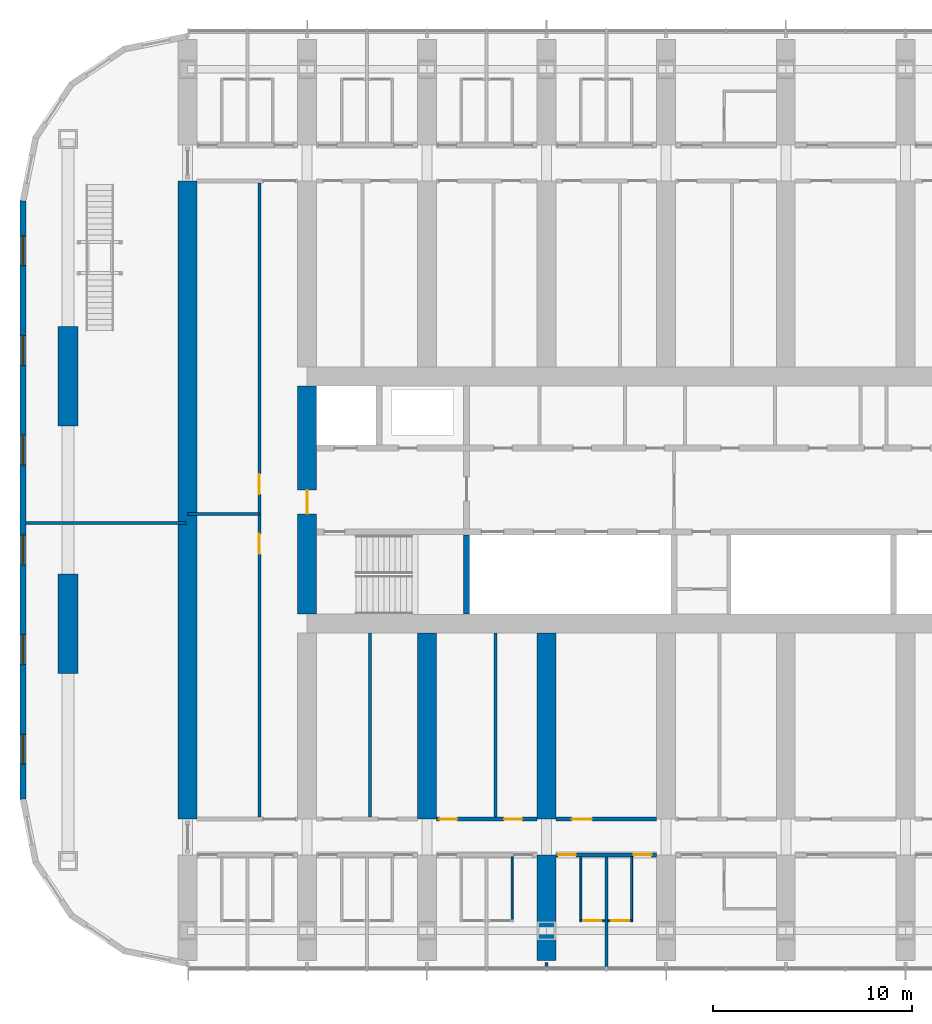
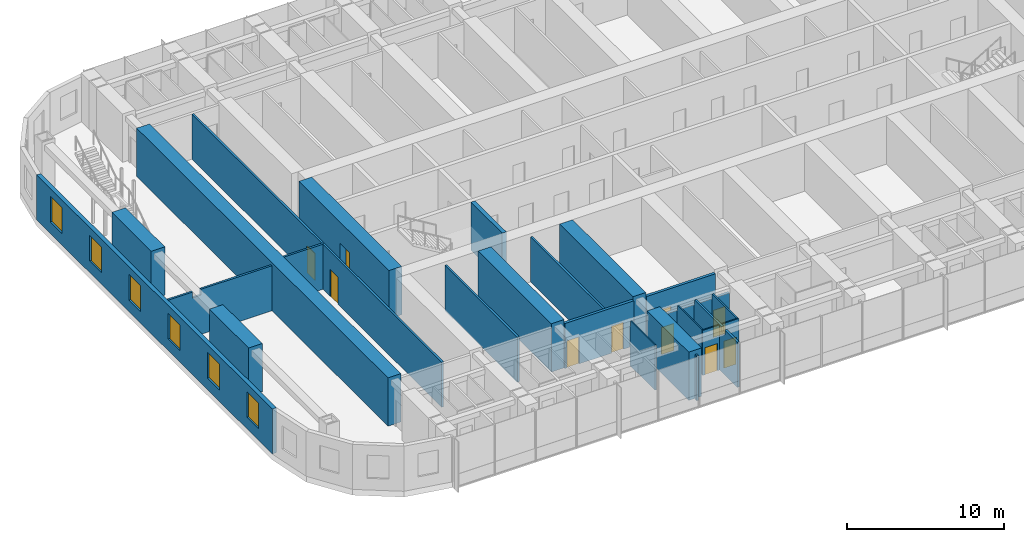
# One storey, part 11 of 26: 24 walls, 10 doors, 6 windows, 16 openings.
"""IFC4 building model written with IfcOpenShell, lengths in metres."""

from ifc_helpers import new_model, si_unit, direction, frame, frame_2d, origin, place, context, subcontext, project, spatial, polyline, rectangle, outline, extrude, material, layer, layer_set, type_object, element, fill, save


model = new_model("IFC4")

# Units and contexts
model_context = context("Model", 3, precision=1e-05, world=origin(), true_north=direction((0.0, 1.0)))
body_context = subcontext(model_context, "Body", "Model", "MODEL_VIEW")
ifc_project = project(units=[si_unit("LENGTHUNIT", "METRE"), si_unit("AREAUNIT", "SQUARE_METRE"), si_unit("VOLUMEUNIT", "CUBIC_METRE"), si_unit("PLANEANGLEUNIT", "RADIAN"), si_unit("MASSUNIT", "GRAM", prefix="KILO")], contexts=[model_context])

# Site, building, storey
site_placement = place(None, origin())
site = spatial("IfcSite", under=ifc_project, at=site_placement, CompositionType="ELEMENT")
building_placement = place(site_placement, origin())
building = spatial("IfcBuilding", under=site, at=building_placement, Name="Orbita Commons", CompositionType="ELEMENT")
storey_placement = place(building_placement, frame((0.0, 0.0, 114.39990234375)))
storey = spatial("IfcBuildingStorey", under=building, at=storey_placement, Name="L28", CompositionType="ELEMENT", Elevation=114.39990234375)

# Wall
ifc_material_1 = material(Name="Concrete C50/60", Category="concrete")
ifc_layer_1 = layer(ifc_material_1, 0.300048828125)
ifc_layer_set_1 = layer_set([ifc_layer_1], Name="Concrete C50/60")
wall_type_1 = type_object("IfcWallType", Name="Core inner wall 300 C50/60", PredefinedType="SHEAR", material=ifc_layer_set_1)
wall_1_placement = place(storey_placement, frame((26.0, 26.27490234375, 0.0), z_axis=(0.0, 0.0, 1.0), x_axis=(0.0, 1.0, 0.0)))
element("IfcWall", 1, at=wall_1_placement, inside=storey, type_object=wall_type_1, Name="Stair S1 wall L28", PredefinedType="SHEAR", context=body_context, shape_type="SweptSolid", body=[
    extrude(rectangle(XDim=3.97509765625, YDim=0.300048828125, at=frame_2d((1.987548828125, 0.0))), origin(), (0.0, 0.0, 1.0), 3.75),
])

# Wall, opening, door
ifc_material_2 = material(Name="Concrete C50/60", Category="concrete")
ifc_layer_2 = layer(ifc_material_2, 0.949951171875)
ifc_layer_set_2 = layer_set([ifc_layer_2], Name="Concrete C50/60")
wall_type_2 = type_object("IfcWallType", Name="Core wall 950 C50/60", PredefinedType="SHEAR", material=ifc_layer_set_2)
wall_2_placement = place(storey_placement, frame((18.0, 26.27490234375, 0.0), z_axis=(0.0, 0.0, 1.0), x_axis=(0.0, 1.0, 0.0)))
wall_2 = element("IfcWall", 2, at=wall_2_placement, inside=storey, type_object=wall_type_2, Name="Core end wall west L28", PredefinedType="SHEAR", context=body_context, shape_type="SweptSolid", body=[
    extrude(rectangle(XDim=11.4501953125, YDim=0.949951171875, at=frame_2d((5.72509765625, 0.0))), origin(), (0.0, 0.0, 1.0), 3.75),
])
opening_1_placement = place(wall_2_placement, frame((5.02490234375, 0.0, 0.0)))
opening_1 = element("IfcOpeningElement", 3, at=opening_1_placement, cuts=wall_2, Name="Opening D01", PredefinedType="OPENING", context=body_context, shape_type="SweptSolid", body=[
    extrude(rectangle(XDim=1.199951171875, YDim=2.10009765625, at=frame_2d((0.60009765625, 1.050048828125))), frame((0.0, 0.48486328125, 0.0), z_axis=(0.0, -1.0, 0.0), x_axis=(1.0, 0.0, 0.0)), (0.0, 0.0, 1.0), 0.969970703125),
])
ifc_material_3 = material(Name="Steel-faced fire door leaf", Category="steel")
door_type_1 = type_object("IfcDoorType", Name="Fire door 90 min 1200x2100", OperationType="SINGLE_SWING_LEFT", PredefinedType="DOOR", material=ifc_material_3)
door_1_placement = place(opening_1_placement, origin())
door_1 = element("IfcDoor", 4, at=door_1_placement, inside=storey, type_object=door_type_1, Name="Firefighting lobby west door", OperationType="SINGLE_SWING_LEFT", OverallHeight=2.10009765625, OverallWidth=1.199951171875, PredefinedType="DOOR", context=body_context, shape_type="SweptSolid", body=[
    extrude(rectangle(XDim=1.199951171875, YDim=2.10009765625, at=frame_2d((0.60009765625, 1.050048828125))), frame((0.0, 0.02490234375, 0.0), z_axis=(0.0, -1.0, 0.0), x_axis=(1.0, 0.0, 0.0)), (0.0, 0.0, 1.0), 0.050048828125),
])
fill(opening_1, door_1)

# Wall, openings, doors
ifc_material_4 = material(Name="Concrete blockwork", Category="masonry")
ifc_layer_3 = layer(ifc_material_4, 0.199951171875)
ifc_layer_set_3 = layer_set([ifc_layer_3], Name="Concrete blockwork")
wall_type_3 = type_object("IfcWallType", Name="Corridor wall 200 blockwork", PredefinedType="SOLIDWALL", material=ifc_layer_set_3)
wall_3_placement = place(storey_placement, frame((30.47509765625, 14.199951171875, 0.0), z_axis=(0.0, 0.0, 1.0), x_axis=(1.0, 0.0, 0.0)))
wall_3 = element("IfcWall", 5, at=wall_3_placement, inside=storey, type_object=wall_type_3, Name="Corridor wall 200 blockwork L28", PredefinedType="SOLIDWALL", context=body_context, shape_type="SweptSolid", body=[
    extrude(outline(polyline([(0.0, 0.0), (5.0498046875, 0.0), (5.050048828125, 3.10009765625), (0.0, 3.10009765625), (0.0, 0.0)])), frame((0.0, 0.10009765625, 0.0), z_axis=(0.0, -1.0, 0.0), x_axis=(1.0, 0.0, 0.0)), (0.0, 0.0, 1.0), 0.199951171875),
])
opening_2_placement = place(wall_3_placement, frame((0.10009765625, 0.0, 0.0)))
opening_2 = element("IfcOpeningElement", 6, at=opening_2_placement, cuts=wall_3, Name="Opening D11", PredefinedType="OPENING", context=body_context, shape_type="SweptSolid", body=[
    extrude(rectangle(XDim=0.89990234375, YDim=2.10009765625, at=frame_2d((0.449951171875, 1.050048828125))), frame((0.0, 0.10986328125, 0.0), z_axis=(0.0, -1.0, 0.0), x_axis=(1.0, 0.0, 0.0)), (0.0, 0.0, 1.0), 0.219970703125),
])
opening_3_placement = place(wall_3_placement, frame((3.89990234375, 0.0, 0.0)))
opening_3 = element("IfcOpeningElement", 7, at=opening_3_placement, cuts=wall_3, Name="Opening D11", PredefinedType="OPENING", context=body_context, shape_type="SweptSolid", body=[
    extrude(rectangle(XDim=0.89990234375, YDim=2.10009765625, at=frame_2d((0.449951171875, 1.050048828125))), frame((0.0, 0.10986328125, 0.0), z_axis=(0.0, -1.0, 0.0), x_axis=(1.0, 0.0, 0.0)), (0.0, 0.0, 1.0), 0.219970703125),
])
ifc_material_5 = material(Name="Steel-faced fire door leaf", Category="steel")
door_type_2 = type_object("IfcDoorType", Name="Corridor door 20 min 900x2100", OperationType="SINGLE_SWING_LEFT", PredefinedType="DOOR", material=ifc_material_5)
door_2_placement = place(opening_2_placement, origin())
door_2 = element("IfcDoor", 8, at=door_2_placement, inside=storey, type_object=door_type_2, Name="Cluster bedroom L28-S06 door", OperationType="SINGLE_SWING_LEFT", OverallHeight=2.10009765625, OverallWidth=0.89990234375, PredefinedType="DOOR", context=body_context, shape_type="SweptSolid", body=[
    extrude(rectangle(XDim=0.89990234375, YDim=2.10009765625, at=frame_2d((0.449951171875, 1.050048828125))), frame((0.0, 0.02490234375, 0.0), z_axis=(0.0, -1.0, 0.0), x_axis=(1.0, 0.0, 0.0)), (0.0, 0.0, 1.0), 0.050048828125),
])
fill(opening_2, door_2)
door_3_placement = place(opening_3_placement, origin())
door_3 = element("IfcDoor", 9, at=door_3_placement, inside=storey, type_object=door_type_2, Name="Cluster bedroom L28-S07 door", OperationType="SINGLE_SWING_LEFT", OverallHeight=2.10009765625, OverallWidth=0.89990234375, PredefinedType="DOOR", context=body_context, shape_type="SweptSolid", body=[
    extrude(rectangle(XDim=0.89990234375, YDim=2.10009765625, at=frame_2d((0.449951171875, 1.050048828125))), frame((0.0, 0.02490234375, 0.0), z_axis=(0.0, -1.0, 0.0), x_axis=(1.0, 0.0, 0.0)), (0.0, 0.0, 1.0), 0.050048828125),
])
fill(opening_3, door_3)

ifc_material_6 = material(Name="Hollow concrete block 200", Category="concrete")
ifc_layer_4 = layer(ifc_material_6, 0.199951171875)
ifc_layer_set_4 = layer_set([ifc_layer_4], Name="Hollow concrete block 200")
wall_type_4 = type_object("IfcWallType", Name="Corridor wall 200 hollow concrete block", PredefinedType="SOLIDWALL", material=ifc_layer_set_4)
wall_4_placement = place(storey_placement, frame((24.47509765625, 16.0, 0.0), z_axis=(0.0, 0.0, 1.0), x_axis=(1.0, 0.0, 0.0)))
wall_4 = element("IfcWall", 10, at=wall_4_placement, inside=storey, type_object=wall_type_4, Name="Corridor wall 200 hollow concrete block L28", PredefinedType="SOLIDWALL", context=body_context, shape_type="SweptSolid", body=[
    extrude(rectangle(XDim=5.0498046875, YDim=0.199951171875, at=frame_2d((2.52490234375, 0.0))), origin(), (0.0, 0.0, 1.0), 3.5),
])
opening_4_placement = place(wall_4_placement, frame((0.14990234375, 0.0, 0.0)))
opening_4 = element("IfcOpeningElement", 11, at=opening_4_placement, cuts=wall_4, Name="Opening D11", PredefinedType="OPENING", context=body_context, shape_type="SweptSolid", body=[
    extrude(rectangle(XDim=0.89990234375, YDim=2.10009765625, at=frame_2d((0.449951171875, 1.050048828125))), frame((0.0, 0.10986328125, 0.0), z_axis=(0.0, -1.0, 0.0), x_axis=(1.0, 0.0, 0.0)), (0.0, 0.0, 1.0), 0.219970703125),
])
opening_5_placement = place(wall_4_placement, frame((3.405029296875, 0.0, 0.0)))
opening_5 = element("IfcOpeningElement", 12, at=opening_5_placement, cuts=wall_4, Name="Opening D11", PredefinedType="OPENING", context=body_context, shape_type="SweptSolid", body=[
    extrude(rectangle(XDim=0.89990234375, YDim=2.10009765625, at=frame_2d((0.449951171875, 1.050048828125))), frame((0.0, 0.10986328125, 0.0), z_axis=(0.0, -1.0, 0.0), x_axis=(1.0, 0.0, 0.0)), (0.0, 0.0, 1.0), 0.219970703125),
])
door_4_placement = place(opening_4_placement, origin())
door_4 = element("IfcDoor", 13, at=door_4_placement, inside=storey, type_object=door_type_2, Name="Recording room L28-BDS24 door", OperationType="SINGLE_SWING_LEFT", OverallHeight=2.10009765625, OverallWidth=0.89990234375, PredefinedType="DOOR", context=body_context, shape_type="SweptSolid", body=[
    extrude(rectangle(XDim=0.89990234375, YDim=2.10009765625, at=frame_2d((0.449951171875, 1.050048828125))), frame((0.0, 0.02490234375, 0.0), z_axis=(0.0, -1.0, 0.0), x_axis=(1.0, 0.0, 0.0)), (0.0, 0.0, 1.0), 0.050048828125),
])
fill(opening_4, door_4)
door_5_placement = place(opening_5_placement, origin())
door_5 = element("IfcDoor", 14, at=door_5_placement, inside=storey, type_object=door_type_2, Name="Equipment store L28-BDS24n door", OperationType="SINGLE_SWING_LEFT", OverallHeight=2.10009765625, OverallWidth=0.89990234375, PredefinedType="DOOR", context=body_context, shape_type="SweptSolid", body=[
    extrude(rectangle(XDim=0.89990234375, YDim=2.10009765625, at=frame_2d((0.449951171875, 1.050048828125))), frame((0.0, 0.02490234375, 0.0), z_axis=(0.0, -1.0, 0.0), x_axis=(1.0, 0.0, 0.0)), (0.0, 0.0, 1.0), 0.050048828125),
])
fill(opening_5, door_5)

# Wall, opening, door
wall_5_placement = place(storey_placement, frame((30.47509765625, 16.0, 0.0), z_axis=(0.0, 0.0, 1.0), x_axis=(1.0, 0.0, 0.0)))
wall_5 = element("IfcWall", 15, at=wall_5_placement, inside=storey, type_object=wall_type_4, Name="Corridor wall 200 hollow concrete block L28", PredefinedType="SOLIDWALL", context=body_context, shape_type="SweptSolid", body=[
    extrude(rectangle(XDim=5.0498046875, YDim=0.199951171875, at=frame_2d((2.52490234375, 0.0))), origin(), (0.0, 0.0, 1.0), 3.5),
])
opening_6_placement = place(wall_5_placement, frame((0.800048828125, 0.0, 0.0)))
opening_6 = element("IfcOpeningElement", 16, at=opening_6_placement, cuts=wall_5, Name="Opening D06", PredefinedType="OPENING", context=body_context, shape_type="SweptSolid", body=[
    extrude(rectangle(XDim=1.0, YDim=2.10009765625, at=frame_2d((0.5, 1.050048828125))), frame((0.0, 0.10986328125, 0.0), z_axis=(0.0, -1.0, 0.0), x_axis=(1.0, 0.0, 0.0)), (0.0, 0.0, 1.0), 0.219970703125),
])
ifc_material_7 = material(Name="Steel-faced fire door leaf", Category="steel")
door_type_3 = type_object("IfcDoorType", Name="Corridor door 20 min 1000x2100", OperationType="SINGLE_SWING_LEFT", PredefinedType="DOOR", material=ifc_material_7)
door_6_placement = place(opening_6_placement, origin())
door_6 = element("IfcDoor", 17, at=door_6_placement, inside=storey, type_object=door_type_3, Name="Drying room L28-BDS30 door", OperationType="SINGLE_SWING_LEFT", OverallHeight=2.10009765625, OverallWidth=1.0, PredefinedType="DOOR", context=body_context, shape_type="SweptSolid", body=[
    extrude(rectangle(XDim=1.0, YDim=2.10009765625, at=frame_2d((0.5, 1.050048828125))), frame((0.0, 0.02490234375, 0.0), z_axis=(0.0, -1.0, 0.0), x_axis=(1.0, 0.0, 0.0)), (0.0, 0.0, 1.0), 0.050048828125),
])
fill(opening_6, door_6)

# Walls
ifc_material_8 = material(Name="Concrete C50/60", Category="concrete")
ifc_layer_5 = layer(ifc_material_8, 0.949951171875)
ifc_layer_set_5 = layer_set([ifc_layer_5], Name="Concrete C50/60")
wall_type_5 = type_object("IfcWallType", Name="Cross wall 950 C50/60", PredefinedType="SHEAR", material=ifc_layer_set_5)
wall_6_placement = place(storey_placement, frame((12.0, 16.0, 0.0), z_axis=(0.0, 0.0, 1.0), x_axis=(0.0, 1.0, 0.0)))
element("IfcWall", 18, at=wall_6_placement, inside=storey, type_object=wall_type_5, Name="Cross wall 3 inner L28", PredefinedType="SHEAR", context=body_context, shape_type="SweptSolid", body=[
    extrude(rectangle(XDim=32.0, YDim=0.949951171875, at=frame_2d((16.0, 0.0))), origin(), (0.0, 0.0, 1.0), 3.75),
])
wall_7_placement = place(storey_placement, frame((24.0, 16.0, 0.0), z_axis=(0.0, 0.0, 1.0), x_axis=(0.0, 1.0, 0.0)))
element("IfcWall", 19, at=wall_7_placement, inside=storey, type_object=wall_type_5, Name="Cross wall 5 south inner L28", PredefinedType="SHEAR", context=body_context, shape_type="SweptSolid", body=[
    extrude(rectangle(XDim=9.324951171875, YDim=0.949951171875, at=frame_2d((4.66259765625, 0.0))), origin(), (0.0, 0.0, 1.0), 3.75),
])
wall_8_placement = place(storey_placement, frame((30.0, 8.89990234375, 0.0), z_axis=(0.0, 0.0, 1.0), x_axis=(0.0, 1.0, 0.0)))
element("IfcWall", 20, at=wall_8_placement, inside=storey, type_object=wall_type_5, Name="Cross wall 6 south outer L28", PredefinedType="SHEAR", context=body_context, shape_type="SweptSolid", body=[
    extrude(rectangle(XDim=5.300048828125, YDim=0.949951171875, at=frame_2d((2.64990234375, 0.0))), origin(), (0.0, 0.0, 1.0), 3.75),
])
wall_9_placement = place(storey_placement, frame((30.0, 16.0, 0.0), z_axis=(0.0, 0.0, 1.0), x_axis=(0.0, 1.0, 0.0)))
element("IfcWall", 21, at=wall_9_placement, inside=storey, type_object=wall_type_5, Name="Cross wall 6 south inner L28", PredefinedType="SHEAR", context=body_context, shape_type="SweptSolid", body=[
    extrude(rectangle(XDim=9.324951171875, YDim=0.949951171875, at=frame_2d((4.66259765625, 0.0))), origin(), (0.0, 0.0, 1.0), 3.75),
])
ifc_material_9 = material(Name="Moisture-resistant plasterboard on steel studs", Category="steel")
ifc_layer_6 = layer(ifc_material_9, 0.10009765625)
ifc_layer_set_6 = layer_set([ifc_layer_6], Name="Moisture-resistant plasterboard on steel studs")
wall_type_6 = type_object("IfcWallType", Name="En-suite partition 100", PredefinedType="PARTITIONING", material=ifc_layer_set_6)
wall_10_placement = place(storey_placement, frame((28.27490234375, 10.949951171875, 0.0), z_axis=(0.0, 0.0, 1.0), x_axis=(0.0, 1.0, 0.0)))
element("IfcWall", 22, at=wall_10_placement, inside=storey, type_object=wall_type_6, Name="En-suite partition 100 L28", PredefinedType="PARTITIONING", context=body_context, shape_type="SweptSolid", body=[
    extrude(outline(polyline([(0.0, 0.0), (3.150146484375, 0.0), (3.14990234375, 3.10009765625), (3.10205078125, 3.10009765625), (3.10009765625, 3.5), (0.0, 3.5), (0.0, 0.0)])), frame((0.0, 0.050048828125, 0.0), z_axis=(0.0, -1.0, 0.0), x_axis=(1.0, 0.0, 0.0)), (0.0, 0.0, 1.0), 0.10009765625),
])

# Wall, opening, door
wall_11_placement = place(storey_placement, frame((32.925048828125, 10.89990234375, 0.0), z_axis=(0.0, 0.0, 1.0), x_axis=(-1.0, 0.0, 0.0)))
wall_11 = element("IfcWall", 23, at=wall_11_placement, inside=storey, type_object=wall_type_6, Name="En-suite partition 100 L28", PredefinedType="PARTITIONING", context=body_context, shape_type="SweptSolid", body=[
    extrude(rectangle(XDim=1.25, YDim=0.10009765625, at=frame_2d((0.625, 0.0))), origin(), (0.0, 0.0, 1.0), 3.5),
])
opening_7_placement = place(wall_11_placement, frame((0.175048828125, 0.0, 0.0)))
opening_7 = element("IfcOpeningElement", 24, at=opening_7_placement, cuts=wall_11, Name="Opening D09", PredefinedType="OPENING", context=body_context, shape_type="SweptSolid", body=[
    extrude(rectangle(XDim=0.89990234375, YDim=2.10009765625, at=frame_2d((0.449951171875, 1.050048828125))), frame((0.0, 0.06005859375, 0.0), z_axis=(0.0, -1.0, 0.0), x_axis=(1.0, 0.0, 0.0)), (0.0, 0.0, 1.0), 0.1201171875),
])
ifc_material_10 = material(Name="Laminated timber door leaf", Category="wood")
door_type_4 = type_object("IfcDoorType", Name="En-suite door 900x2100", OperationType="SINGLE_SWING_RIGHT", PredefinedType="DOOR", material=ifc_material_10)
door_7_placement = place(opening_7_placement, origin())
door_7 = element("IfcDoor", 25, at=door_7_placement, inside=storey, type_object=door_type_4, Name="En-suite L28-S06 door", OperationType="SINGLE_SWING_RIGHT", OverallHeight=2.10009765625, OverallWidth=0.89990234375, PredefinedType="DOOR", context=body_context, shape_type="SweptSolid", body=[
    extrude(rectangle(XDim=0.89990234375, YDim=2.10009765625, at=frame_2d((0.449951171875, 1.050048828125))), frame((0.0, 0.02490234375, 0.0), z_axis=(0.0, -1.0, 0.0), x_axis=(1.0, 0.0, 0.0)), (0.0, 0.0, 1.0), 0.050048828125),
])
fill(opening_7, door_7)

# Wall
wall_12_placement = place(storey_placement, frame((31.72509765625, 10.949951171875, 0.0), z_axis=(0.0, 0.0, 1.0), x_axis=(0.0, 1.0, 0.0)))
element("IfcWall", 26, at=wall_12_placement, inside=storey, type_object=wall_type_6, Name="En-suite partition 100 L28", PredefinedType="PARTITIONING", context=body_context, shape_type="SweptSolid", body=[
    extrude(outline(polyline([(0.0, 0.0), (3.150146484375, 0.0), (3.14990234375, 3.10009765625), (3.10205078125, 3.10009765625), (3.10009765625, 3.5), (0.0, 3.5), (0.0, 0.0)])), frame((0.0, 0.050048828125, 0.0), z_axis=(0.0, -1.0, 0.0), x_axis=(1.0, 0.0, 0.0)), (0.0, 0.0, 1.0), 0.10009765625),
])

# Wall, opening, door
wall_13_placement = place(storey_placement, frame((34.324951171875, 10.89990234375, 0.0), z_axis=(0.0, 0.0, 1.0), x_axis=(-1.0, 0.0, 0.0)))
wall_13 = element("IfcWall", 27, at=wall_13_placement, inside=storey, type_object=wall_type_6, Name="En-suite partition 100 L28", PredefinedType="PARTITIONING", context=body_context, shape_type="SweptSolid", body=[
    extrude(rectangle(XDim=1.25, YDim=0.10009765625, at=frame_2d((0.625, 0.0))), origin(), (0.0, 0.0, 1.0), 3.5),
])
opening_8_placement = place(wall_13_placement, frame((0.175048828125, 0.0, 0.0)))
opening_8 = element("IfcOpeningElement", 28, at=opening_8_placement, cuts=wall_13, Name="Opening D09", PredefinedType="OPENING", context=body_context, shape_type="SweptSolid", body=[
    extrude(rectangle(XDim=0.89990234375, YDim=2.10009765625, at=frame_2d((0.449951171875, 1.050048828125))), frame((0.0, 0.06005859375, 0.0), z_axis=(0.0, -1.0, 0.0), x_axis=(1.0, 0.0, 0.0)), (0.0, 0.0, 1.0), 0.1201171875),
])
door_8_placement = place(opening_8_placement, origin())
door_8 = element("IfcDoor", 29, at=door_8_placement, inside=storey, type_object=door_type_4, Name="En-suite L28-S07 door", OperationType="SINGLE_SWING_RIGHT", OverallHeight=2.10009765625, OverallWidth=0.89990234375, PredefinedType="DOOR", context=body_context, shape_type="SweptSolid", body=[
    extrude(rectangle(XDim=0.89990234375, YDim=2.10009765625, at=frame_2d((0.449951171875, 1.050048828125))), frame((0.0, 0.02490234375, 0.0), z_axis=(0.0, -1.0, 0.0), x_axis=(1.0, 0.0, 0.0)), (0.0, 0.0, 1.0), 0.050048828125),
])
fill(opening_8, door_8)

# Walls
wall_14_placement = place(storey_placement, frame((34.27490234375, 10.949951171875, 0.0), z_axis=(0.0, 0.0, 1.0), x_axis=(0.0, 1.0, 0.0)))
element("IfcWall", 30, at=wall_14_placement, inside=storey, type_object=wall_type_6, Name="En-suite partition 100 L28", PredefinedType="PARTITIONING", context=body_context, shape_type="SweptSolid", body=[
    extrude(outline(polyline([(0.0, 0.0), (3.150146484375, 0.0), (3.14990234375, 3.10009765625), (3.10205078125, 3.10009765625), (3.10009765625, 3.5), (0.0, 3.5), (0.0, 0.0)])), frame((0.0, 0.050048828125, 0.0), z_axis=(0.0, -1.0, 0.0), x_axis=(1.0, 0.0, 0.0)), (0.0, 0.0, 1.0), 0.10009765625),
])
ifc_material_11 = material(Name="Concrete C50/60", Category="concrete")
ifc_layer_7 = layer(ifc_material_11, 1.0)
ifc_layer_set_7 = layer_set([ifc_layer_7], Name="Concrete C50/60")
wall_type_7 = type_object("IfcWallType", Name="End pier 1000x5000 C50/60", PredefinedType="SHEAR", material=ifc_layer_set_7)
for number, where, z_axis, x_axis, name in (
    (31, (6.0, 23.300048828125, 0.0), (0.0, 0.0, 1.0), (0.0, 1.0, 0.0), "End pier 2/C L28"),
    (32, (6.0, 35.699951171875, 0.0), (0.0, 0.0, 1.0), (0.0, 1.0, 0.0), "End pier 2/D L28"),
):
    element("IfcWall", number, at=place(storey_placement, frame(where, z_axis=z_axis, x_axis=x_axis)), inside=storey, type_object=wall_type_7, Name=name, PredefinedType="SHEAR", context=body_context, shape_type="SweptSolid", body=[
        extrude(rectangle(XDim=5.0, YDim=1.0, at=frame_2d((2.5, 0.0))), origin(), (0.0, 0.0, 1.0), 3.75),
    ])
ifc_material_12 = material(Name="Gypsum plasterboard on steel studs", Category="steel")
ifc_layer_8 = layer(ifc_material_12, 0.14990234375)
ifc_layer_set_8 = layer_set([ifc_layer_8], Name="Gypsum plasterboard on steel studs")
wall_type_8 = type_object("IfcWallType", Name="Partition 150 plasterboard", PredefinedType="PARTITIONING", material=ifc_layer_set_8)
for number, where, z_axis, x_axis, name in (
    (33, (21.155029296875, 16.10009765625, 0.0), (0.0, 0.0, 1.0), (0.0, 1.0, 0.0), "Partition 150 plasterboard L28"),
    (34, (27.455078125, 16.10009765625, 0.0), (0.0, 0.0, 1.0), (0.0, 1.0, 0.0), "Partition 150 plasterboard L28"),
):
    element("IfcWall", number, at=place(storey_placement, frame(where, z_axis=z_axis, x_axis=x_axis)), inside=storey, type_object=wall_type_8, Name=name, PredefinedType="PARTITIONING", context=body_context, shape_type="SweptSolid", body=[
        extrude(rectangle(XDim=9.224853515625, YDim=0.14990234375, at=frame_2d((4.6123046875, 0.0))), origin(), (0.0, 0.0, 1.0), 3.5),
    ])

# Wall, openings, doors
wall_15_placement = place(storey_placement, frame((15.60009765625, 16.10009765625, 0.0), z_axis=(0.0, 0.0, 1.0), x_axis=(0.0, 1.0, 0.0)))
wall_15 = element("IfcWall", 35, at=wall_15_placement, inside=storey, type_object=wall_type_8, Name="Partition 150 plasterboard L28", PredefinedType="PARTITIONING", context=body_context, shape_type="SweptSolid", body=[
    extrude(rectangle(XDim=31.7998046875, YDim=0.14990234375, at=frame_2d((15.89990234375, 0.0))), origin(), (0.0, 0.0, 1.0), 3.5),
])
opening_9_placement = place(wall_15_placement, frame((13.199951171875, 0.0, 0.0)))
opening_9 = element("IfcOpeningElement", 36, at=opening_9_placement, cuts=wall_15, Name="Opening D06", PredefinedType="OPENING", context=body_context, shape_type="SweptSolid", body=[
    extrude(rectangle(XDim=1.0, YDim=2.10009765625, at=frame_2d((0.5, 1.050048828125))), frame((0.0, 0.0849609375, 0.0), z_axis=(0.0, -1.0, 0.0), x_axis=(1.0, 0.0, 0.0)), (0.0, 0.0, 1.0), 0.169921875),
])
opening_10_placement = place(wall_15_placement, frame((16.199951171875, 0.0, 0.0)))
opening_10 = element("IfcOpeningElement", 37, at=opening_10_placement, cuts=wall_15, Name="Opening D06", PredefinedType="OPENING", context=body_context, shape_type="SweptSolid", body=[
    extrude(rectangle(XDim=1.0, YDim=2.10009765625, at=frame_2d((0.5, 1.050048828125))), frame((0.0, 0.0849609375, 0.0), z_axis=(0.0, -1.0, 0.0), x_axis=(1.0, 0.0, 0.0)), (0.0, 0.0, 1.0), 0.169921875),
])
door_9_placement = place(opening_9_placement, origin())
door_9 = element("IfcDoor", 38, at=door_9_placement, inside=storey, type_object=door_type_3, Name="Quiet room door", OperationType="SINGLE_SWING_LEFT", OverallHeight=2.10009765625, OverallWidth=1.0, PredefinedType="DOOR", context=body_context, shape_type="SweptSolid", body=[
    extrude(rectangle(XDim=1.0, YDim=2.10009765625, at=frame_2d((0.5, 1.050048828125))), frame((0.0, 0.02490234375, 0.0), z_axis=(0.0, -1.0, 0.0), x_axis=(1.0, 0.0, 0.0)), (0.0, 0.0, 1.0), 0.050048828125),
])
fill(opening_9, door_9)
door_10_placement = place(opening_10_placement, origin())
door_10 = element("IfcDoor", 39, at=door_10_placement, inside=storey, type_object=door_type_3, Name="Interview room door", OperationType="SINGLE_SWING_LEFT", OverallHeight=2.10009765625, OverallWidth=1.0, PredefinedType="DOOR", context=body_context, shape_type="SweptSolid", body=[
    extrude(rectangle(XDim=1.0, YDim=2.10009765625, at=frame_2d((0.5, 1.050048828125))), frame((0.0, 0.02490234375, 0.0), z_axis=(0.0, -1.0, 0.0), x_axis=(1.0, 0.0, 0.0)), (0.0, 0.0, 1.0), 0.050048828125),
])
fill(opening_10, door_10)

# Walls
wall_16_placement = place(storey_placement, frame((12.0, 31.300048828125, 0.0), z_axis=(0.0, 0.0, 1.0), x_axis=(1.0, 0.0, 0.0)))
element("IfcWall", 40, at=wall_16_placement, inside=storey, type_object=wall_type_8, Name="Partition 150 plasterboard L28", PredefinedType="PARTITIONING", context=body_context, shape_type="SweptSolid", body=[
    extrude(rectangle(XDim=3.60009765625, YDim=0.14990234375, at=frame_2d((1.800048828125, 0.0))), origin(), (0.0, 0.0, 1.0), 3.5),
])
wall_17_placement = place(storey_placement, frame((3.905029296875, 30.85009765625, 0.0), z_axis=(0.0, 0.0, 1.0), x_axis=(1.0, 0.0, 0.0)))
element("IfcWall", 41, at=wall_17_placement, inside=storey, type_object=wall_type_8, Name="Partition 150 plasterboard L28", PredefinedType="PARTITIONING", context=body_context, shape_type="SweptSolid", body=[
    extrude(outline(polyline([(0.0, 0.0), (8.02001953125, 0.0), (8.02001953125, 3.5), (2.39697265625, 3.5), (2.39501953125, 3.050048828125), (1.797119140625, 3.050048828125), (1.794921875, 3.5), (0.0, 3.5), (0.0, 0.0)])), frame((0.0, 0.074951171875, 0.0), z_axis=(0.0, -1.0, 0.0), x_axis=(1.0, 0.0, 0.0)), (0.0, 0.0, 1.0), 0.14990234375),
])
wall_18_placement = place(storey_placement, frame((30.0, 8.800048828125, 0.0), z_axis=(0.0, 0.0, 1.0), x_axis=(0.0, -1.0, 0.0)))
element("IfcWall", 42, at=wall_18_placement, inside=storey, type_object=wall_type_8, Name="Partition 150 plasterboard L28", PredefinedType="PARTITIONING", context=body_context, shape_type="SweptSolid", body=[
    extrude(rectangle(XDim=0.18994140625, YDim=0.14990234375, at=frame_2d((0.094970703125, 0.0))), origin(), (0.0, 0.0, 1.0), 3.5),
])
ifc_material_13 = material(Name="Gypsum plasterboard on steel studs", Category="steel")
ifc_layer_9 = layer(ifc_material_13, 0.14990234375)
ifc_layer_set_9 = layer_set([ifc_layer_9], Name="Gypsum plasterboard on steel studs")
wall_type_9 = type_object("IfcWallType", Name="Party wall 150 plasterboard", PredefinedType="PARTITIONING", material=ifc_layer_set_9)
wall_19_placement = place(storey_placement, frame((33.0, 8.610107421875, 0.0), z_axis=(0.0, 0.0, 1.0), x_axis=(0.0, 1.0, 0.0)))
element("IfcWall", 43, at=wall_19_placement, inside=storey, type_object=wall_type_9, Name="Party wall 150 plasterboard L28", PredefinedType="PARTITIONING", context=body_context, shape_type="SweptSolid", body=[
    extrude(outline(polyline([(0.0, 0.0), (5.489990234375, 0.0), (5.489990234375, 3.10009765625), (5.44189453125, 3.10009765625), (5.43994140625, 3.5), (1.991943359375, 3.5), (1.989990234375, 3.10009765625), (1.592041015625, 3.10009765625), (1.590087890625, 3.5), (0.0, 3.5), (0.0, 0.0)])), frame((0.0, 0.074951171875, 0.0), z_axis=(0.0, -1.0, 0.0), x_axis=(1.0, 0.0, 0.0)), (0.0, 0.0, 1.0), 0.14990234375),
])

# Wall, openings, windows
ifc_material_14 = material(Name="Precast concrete C40/50, white board-marked finish", Category="concrete")
ifc_layer_10 = layer(ifc_material_14, 0.300048828125)
ifc_layer_set_10 = layer_set([ifc_layer_10], Name="Precast concrete C40/50, white board-marked finish")
wall_type_10 = type_object("IfcWallType", Name="Precast concrete end shield 300", PredefinedType="SOLIDWALL", material=ifc_layer_set_10)
wall_20_placement = place(storey_placement, frame((3.75, 47.0, 0.0), z_axis=(0.0, 0.0, 1.0), x_axis=(0.0, -1.0, 0.0)))
wall_20 = element("IfcWall", 44, at=wall_20_placement, inside=storey, type_object=wall_type_10, Name="End shield W L28", PredefinedType="SOLIDWALL", context=body_context, shape_type="SweptSolid", body=[
    extrude(outline(polyline([(-0.014892578125, -0.14990234375), (30.014892578125, -0.14990234375), (29.985107421875, 0.14990234375), (0.014892578125, 0.14990234375), (-0.014892578125, -0.14990234375)])), origin(), (0.0, 0.0, 1.0), 3.5),
])
opening_11_placement = place(wall_20_placement, frame((1.75, 0.0, 0.89990234375)))
opening_11 = element("IfcOpeningElement", 45, at=opening_11_placement, cuts=wall_20, Name="Opening W01", PredefinedType="OPENING", context=body_context, shape_type="SweptSolid", body=[
    extrude(rectangle(XDim=1.5, YDim=2.0, at=frame_2d((0.75, 1.0))), frame((0.0, 0.159912109375, 0.0), z_axis=(0.0, -1.0, 0.0), x_axis=(1.0, 0.0, 0.0)), (0.0, 0.0, 1.0), 0.320068359375),
])
opening_12_placement = place(wall_20_placement, frame((6.75, 0.0, 0.89990234375)))
opening_12 = element("IfcOpeningElement", 46, at=opening_12_placement, cuts=wall_20, Name="Opening W01", PredefinedType="OPENING", context=body_context, shape_type="SweptSolid", body=[
    extrude(rectangle(XDim=1.5, YDim=2.0, at=frame_2d((0.75, 1.0))), frame((0.0, 0.159912109375, 0.0), z_axis=(0.0, -1.0, 0.0), x_axis=(1.0, 0.0, 0.0)), (0.0, 0.0, 1.0), 0.320068359375),
])
opening_13_placement = place(wall_20_placement, frame((11.75, 0.0, 0.89990234375)))
opening_13 = element("IfcOpeningElement", 47, at=opening_13_placement, cuts=wall_20, Name="Opening W01", PredefinedType="OPENING", context=body_context, shape_type="SweptSolid", body=[
    extrude(rectangle(XDim=1.5, YDim=2.0, at=frame_2d((0.75, 1.0))), frame((0.0, 0.159912109375, 0.0), z_axis=(0.0, -1.0, 0.0), x_axis=(1.0, 0.0, 0.0)), (0.0, 0.0, 1.0), 0.320068359375),
])
opening_14_placement = place(wall_20_placement, frame((16.75, 0.0, 0.89990234375)))
opening_14 = element("IfcOpeningElement", 48, at=opening_14_placement, cuts=wall_20, Name="Opening W01", PredefinedType="OPENING", context=body_context, shape_type="SweptSolid", body=[
    extrude(rectangle(XDim=1.5, YDim=2.0, at=frame_2d((0.75, 1.0))), frame((0.0, 0.159912109375, 0.0), z_axis=(0.0, -1.0, 0.0), x_axis=(1.0, 0.0, 0.0)), (0.0, 0.0, 1.0), 0.320068359375),
])
opening_15_placement = place(wall_20_placement, frame((21.75, 0.0, 0.89990234375)))
opening_15 = element("IfcOpeningElement", 49, at=opening_15_placement, cuts=wall_20, Name="Opening W01", PredefinedType="OPENING", context=body_context, shape_type="SweptSolid", body=[
    extrude(rectangle(XDim=1.5, YDim=2.0, at=frame_2d((0.75, 1.0))), frame((0.0, 0.159912109375, 0.0), z_axis=(0.0, -1.0, 0.0), x_axis=(1.0, 0.0, 0.0)), (0.0, 0.0, 1.0), 0.320068359375),
])
opening_16_placement = place(wall_20_placement, frame((26.75, 0.0, 0.89990234375)))
opening_16 = element("IfcOpeningElement", 50, at=opening_16_placement, cuts=wall_20, Name="Opening W01", PredefinedType="OPENING", context=body_context, shape_type="SweptSolid", body=[
    extrude(rectangle(XDim=1.5, YDim=2.0, at=frame_2d((0.75, 1.0))), frame((0.0, 0.159912109375, 0.0), z_axis=(0.0, -1.0, 0.0), x_axis=(1.0, 0.0, 0.0)), (0.0, 0.0, 1.0), 0.320068359375),
])
ifc_material_15 = material(Name="Aluminium frame, clear double glazing", Category="aluminium")
window_type = type_object("IfcWindowType", Name="Deep-set window 1500x2000", PartitioningType="SINGLE_PANEL", PredefinedType="WINDOW", material=ifc_material_15)
window_1_placement = place(opening_11_placement, origin())
window_1 = element("IfcWindow", 51, at=window_1_placement, inside=storey, type_object=window_type, Name="Window L28-W 1", OverallHeight=2.0, OverallWidth=1.5, PartitioningType="SINGLE_PANEL", PredefinedType="WINDOW", context=body_context, shape_type="SweptSolid", body=[
    extrude(rectangle(XDim=1.5, YDim=2.0, at=frame_2d((0.75, 1.0))), frame((0.0, 0.030029296875, 0.0), z_axis=(0.0, -1.0, 0.0), x_axis=(1.0, 0.0, 0.0)), (0.0, 0.0, 1.0), 0.06005859375),
])
fill(opening_11, window_1)
window_2_placement = place(opening_12_placement, origin())
window_2 = element("IfcWindow", 52, at=window_2_placement, inside=storey, type_object=window_type, Name="Window L28-W 2", OverallHeight=2.0, OverallWidth=1.5, PartitioningType="SINGLE_PANEL", PredefinedType="WINDOW", context=body_context, shape_type="SweptSolid", body=[
    extrude(rectangle(XDim=1.5, YDim=2.0, at=frame_2d((0.75, 1.0))), frame((0.0, 0.030029296875, 0.0), z_axis=(0.0, -1.0, 0.0), x_axis=(1.0, 0.0, 0.0)), (0.0, 0.0, 1.0), 0.06005859375),
])
fill(opening_12, window_2)
window_3_placement = place(opening_13_placement, origin())
window_3 = element("IfcWindow", 53, at=window_3_placement, inside=storey, type_object=window_type, Name="Window L28-W 3", OverallHeight=2.0, OverallWidth=1.5, PartitioningType="SINGLE_PANEL", PredefinedType="WINDOW", context=body_context, shape_type="SweptSolid", body=[
    extrude(rectangle(XDim=1.5, YDim=2.0, at=frame_2d((0.75, 1.0))), frame((0.0, 0.030029296875, 0.0), z_axis=(0.0, -1.0, 0.0), x_axis=(1.0, 0.0, 0.0)), (0.0, 0.0, 1.0), 0.06005859375),
])
fill(opening_13, window_3)
window_4_placement = place(opening_14_placement, origin())
window_4 = element("IfcWindow", 54, at=window_4_placement, inside=storey, type_object=window_type, Name="Window L28-W 4", OverallHeight=2.0, OverallWidth=1.5, PartitioningType="SINGLE_PANEL", PredefinedType="WINDOW", context=body_context, shape_type="SweptSolid", body=[
    extrude(rectangle(XDim=1.5, YDim=2.0, at=frame_2d((0.75, 1.0))), frame((0.0, 0.030029296875, 0.0), z_axis=(0.0, -1.0, 0.0), x_axis=(1.0, 0.0, 0.0)), (0.0, 0.0, 1.0), 0.06005859375),
])
fill(opening_14, window_4)
window_5_placement = place(opening_15_placement, origin())
window_5 = element("IfcWindow", 55, at=window_5_placement, inside=storey, type_object=window_type, Name="Window L28-W 5", OverallHeight=2.0, OverallWidth=1.5, PartitioningType="SINGLE_PANEL", PredefinedType="WINDOW", context=body_context, shape_type="SweptSolid", body=[
    extrude(rectangle(XDim=1.5, YDim=2.0, at=frame_2d((0.75, 1.0))), frame((0.0, 0.030029296875, 0.0), z_axis=(0.0, -1.0, 0.0), x_axis=(1.0, 0.0, 0.0)), (0.0, 0.0, 1.0), 0.06005859375),
])
fill(opening_15, window_5)
window_6_placement = place(opening_16_placement, origin())
window_6 = element("IfcWindow", 56, at=window_6_placement, inside=storey, type_object=window_type, Name="Window L28-W 6", OverallHeight=2.0, OverallWidth=1.5, PartitioningType="SINGLE_PANEL", PredefinedType="WINDOW", context=body_context, shape_type="SweptSolid", body=[
    extrude(rectangle(XDim=1.5, YDim=2.0, at=frame_2d((0.75, 1.0))), frame((0.0, 0.030029296875, 0.0), z_axis=(0.0, -1.0, 0.0), x_axis=(1.0, 0.0, 0.0)), (0.0, 0.0, 1.0), 0.06005859375),
])
fill(opening_16, window_6)

save(model, "model.ifc")
